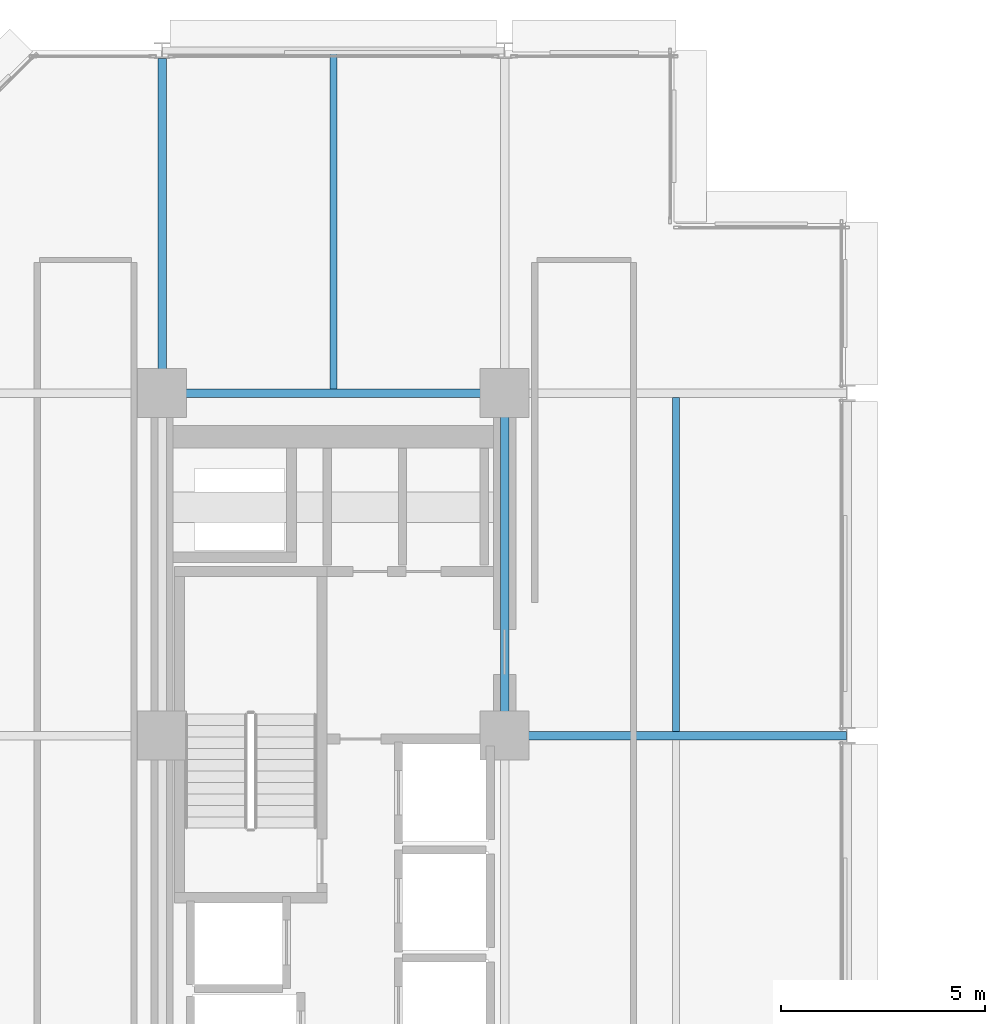
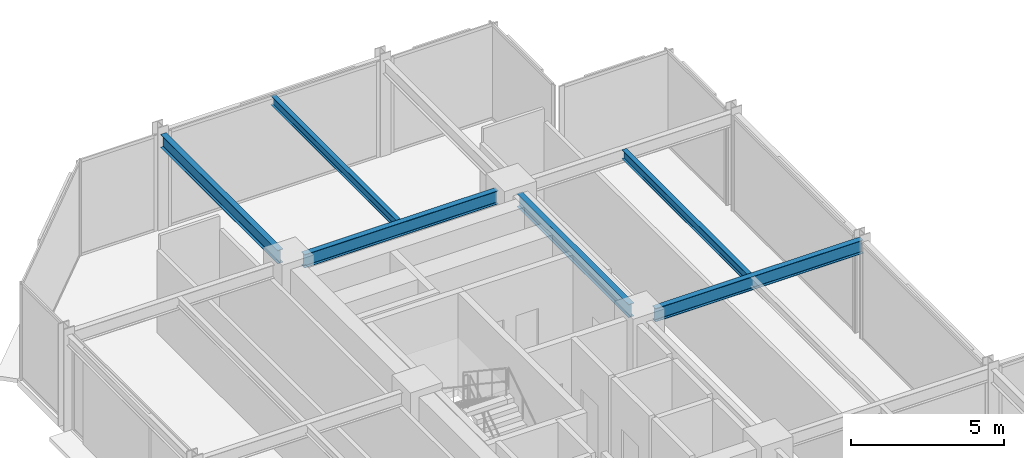
# One storey, part 26 of 39: 6 beams.
"""IFC4 building model written with IfcOpenShell, lengths in metres."""

from ifc_helpers import new_model, si_unit, direction, frame, origin, origin_2d, place, context, subcontext, project, spatial, i_section, extrude, material, material_profile, profile_set, type_object, element, save


model = new_model("IFC4")

# Units and contexts
model_context = context("Model", 3, precision=1e-05, world=origin(), true_north=direction((0.0, 1.0)))
body_context = subcontext(model_context, "Body", "Model", "MODEL_VIEW")
ifc_project = project(units=[si_unit("LENGTHUNIT", "METRE"), si_unit("AREAUNIT", "SQUARE_METRE"), si_unit("VOLUMEUNIT", "CUBIC_METRE"), si_unit("PLANEANGLEUNIT", "RADIAN"), si_unit("MASSUNIT", "GRAM", prefix="KILO")], contexts=[model_context])

# Site, building, storey
site_placement = place(None, origin())
site = spatial("IfcSite", under=ifc_project, at=site_placement, CompositionType="ELEMENT")
building_placement = place(site_placement, origin())
building = spatial("IfcBuilding", under=site, at=building_placement, Name="Nerrivon Quay Data Exchange", CompositionType="ELEMENT")
storey_placement = place(building_placement, frame((0.0, 0.0, 92.60009765625)))
storey = spatial("IfcBuildingStorey", under=building, at=storey_placement, Name="L21", CompositionType="ELEMENT", Elevation=92.60009765625)

# Beams
ifc_material = material(Name="Steel Grade 350", Category="steel")
ifc_material_profile_1 = material_profile(ifc_material, i_section(OverallWidth=0.208984375, OverallDepth=0.532958984375, WebThickness=0.01025390625, FlangeThickness=0.015625, FilletRadius=0.013916015625, at=origin_2d()), Name="530UB92.4")
ifc_profile_set_1 = profile_set([ifc_material_profile_1], Name="Steel Grade 350")
beam_type_1 = type_object("IfcBeamType", Name="BM-G3-530UB92", PredefinedType="BEAM", material=ifc_profile_set_1)
beam_1_placement = place(storey_placement, frame((17.340087890625, 33.60009765625, 3.558349609375), z_axis=(1.0, 0.0, 0.0), x_axis=(0.0, 1.0, 0.0)))
element("IfcBeam", 1, at=beam_1_placement, inside=storey, type_object=beam_type_1, Name="L21 EW Girder Y=33.6 (16.8..25.2)", PredefinedType="BEAM", context=body_context, shape_type="SweptSolid", body=[
    extrude(i_section(OverallWidth=0.208984375, OverallDepth=0.532958984375, WebThickness=0.01025390625, FlangeThickness=0.015625, FilletRadius=0.013916015625, at=origin_2d()), origin(), (0.0, 0.0, 1.0), 7.847412109375),
])
beam_2_placement = place(storey_placement, frame((8.93994140625, 42.0, 3.558349609375), z_axis=(1.0, 0.0, 0.0), x_axis=(0.0, 1.0, 0.0)))
element("IfcBeam", 2, at=beam_2_placement, inside=storey, type_object=beam_type_1, Name="L21 EW Girder Y=42.0 (8.4..16.8)", PredefinedType="BEAM", context=body_context, shape_type="SweptSolid", body=[
    extrude(i_section(OverallWidth=0.208984375, OverallDepth=0.532958984375, WebThickness=0.01025390625, FlangeThickness=0.015625, FilletRadius=0.013916015625, at=origin_2d()), origin(), (0.0, 0.0, 1.0), 7.320068359375),
])
ifc_material_profile_2 = material_profile(ifc_material, i_section(OverallWidth=0.208984375, OverallDepth=0.528076171875, WebThickness=0.009521484375, FlangeThickness=0.01318359375, FilletRadius=0.013916015625, at=origin_2d()), Name="530UB82.0")
ifc_profile_set_2 = profile_set([ifc_material_profile_2], Name="Steel Grade 350")
beam_type_2 = type_object("IfcBeamType", Name="BM-G4-530UB82", PredefinedType="BEAM", material=ifc_profile_set_2)
beam_3_placement = place(storey_placement, frame((8.39990234375, 42.5400390625, 3.560791015625), z_axis=(0.0, 1.0, 0.0), x_axis=(-1.0, 0.0, 0.0)))
element("IfcBeam", 3, at=beam_3_placement, inside=storey, type_object=beam_type_2, Name="L21 NS Girder X=8.4 (42.0..50.4)", PredefinedType="BEAM", context=body_context, shape_type="SweptSolid", body=[
    extrude(i_section(OverallWidth=0.208984375, OverallDepth=0.528076171875, WebThickness=0.009521484375, FlangeThickness=0.01318359375, FilletRadius=0.013916015625, at=origin_2d()), origin(), (0.0, 0.0, 1.0), 7.659912109375),
])
beam_4_placement = place(storey_placement, frame((16.800048828125, 34.139892578125, 3.560791015625), z_axis=(0.0, 1.0, 0.0), x_axis=(-1.0, 0.0, 0.0)))
element("IfcBeam", 4, at=beam_4_placement, inside=storey, type_object=beam_type_2, Name="L21 NS Girder X=16.8 (33.6..42.0)", PredefinedType="BEAM", context=body_context, shape_type="SweptSolid", body=[
    extrude(i_section(OverallWidth=0.208984375, OverallDepth=0.528076171875, WebThickness=0.009521484375, FlangeThickness=0.01318359375, FilletRadius=0.013916015625, at=origin_2d()), origin(), (0.0, 0.0, 1.0), 7.320068359375),
])
ifc_material_profile_3 = material_profile(ifc_material, i_section(OverallWidth=0.1708984375, OverallDepth=0.35595703125, WebThickness=0.00732421875, FlangeThickness=0.011474609375, FilletRadius=0.011474609375, at=origin_2d()), Name="360UB50.7")
ifc_profile_set_3 = profile_set([ifc_material_profile_3], Name="Steel Grade 350")
beam_type_3 = type_object("IfcBeamType", Name="BM-J4-360UB51", PredefinedType="JOIST", material=ifc_profile_set_3)
beam_5_placement = place(storey_placement, frame((12.60009765625, 42.1044921875, 3.64697265625), z_axis=(0.0, 1.0, 0.0), x_axis=(-1.0, 0.0, 0.0)))
element("IfcBeam", 5, at=beam_5_placement, inside=storey, type_object=beam_type_3, Name="L21 Secondary Joist X=12.6 (42.0..50.4)", PredefinedType="JOIST", context=body_context, shape_type="SweptSolid", body=[
    extrude(i_section(OverallWidth=0.1708984375, OverallDepth=0.35595703125, WebThickness=0.00732421875, FlangeThickness=0.011474609375, FilletRadius=0.011474609375, at=origin_2d()), origin(), (0.0, 0.0, 1.0), 8.20654296875),
])
beam_6_placement = place(storey_placement, frame((21.0, 33.70458984375, 3.64697265625), z_axis=(0.0, 1.0, 0.0), x_axis=(-1.0, 0.0, 0.0)))
element("IfcBeam", 6, at=beam_6_placement, inside=storey, type_object=beam_type_3, Name="L21 Secondary Joist X=21.0 (33.6..42.0)", PredefinedType="JOIST", context=body_context, shape_type="SweptSolid", body=[
    extrude(i_section(OverallWidth=0.1708984375, OverallDepth=0.35595703125, WebThickness=0.00732421875, FlangeThickness=0.011474609375, FilletRadius=0.011474609375, at=origin_2d()), origin(), (0.0, 0.0, 1.0), 8.19091796875),
])

save(model, "model.ifc")
